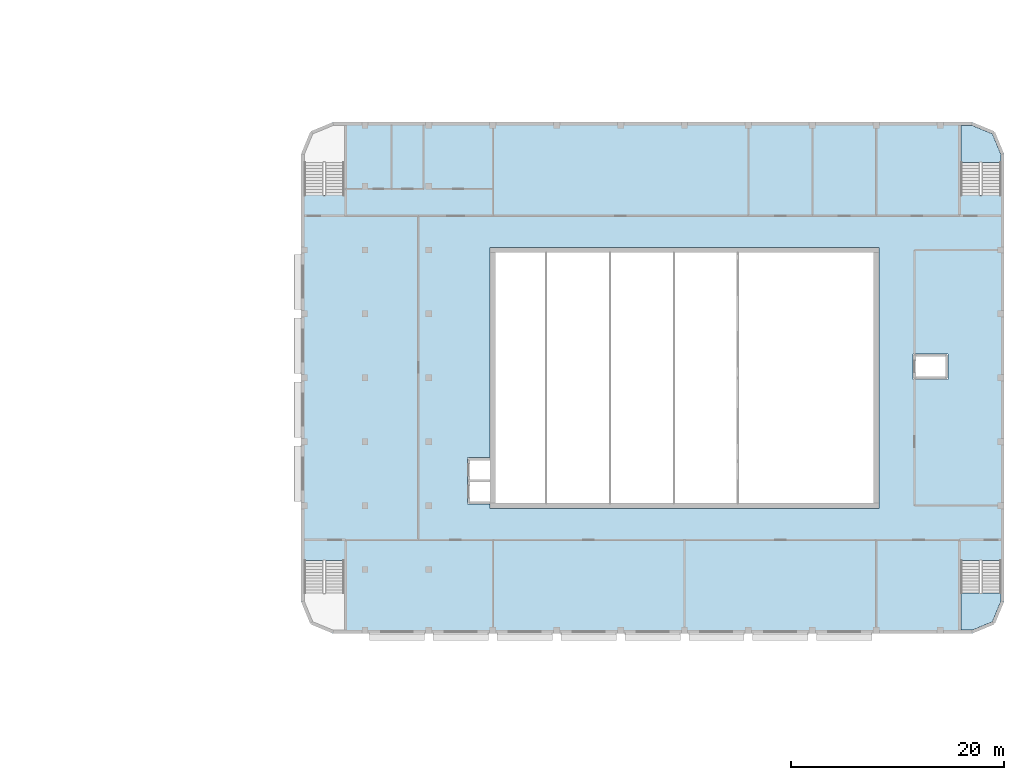
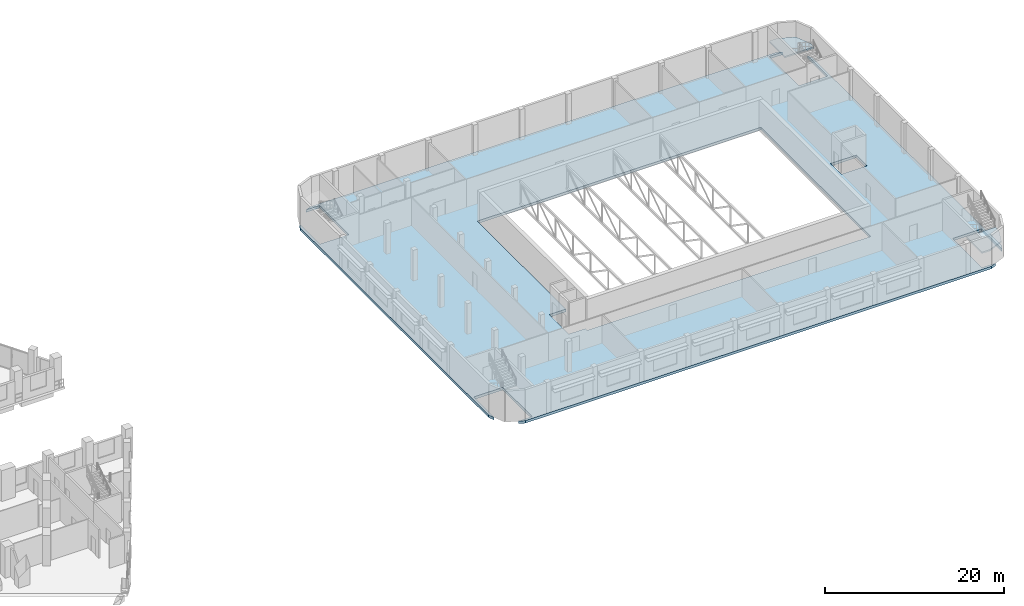
# One storey, part 18 of 47: 3 slabs, 2 elements without a shape of their own.
"""IFC4 building model written with IfcOpenShell, lengths in metres."""

from ifc_helpers import new_model, si_unit, direction, frame, origin, place, context, subcontext, project, spatial, polyline, outline, extrude, material, layer, layer_set, type_object, element, aggregate, save


model = new_model("IFC4")

# Units and contexts
model_context = context("Model", 3, precision=1e-05, world=origin(), true_north=direction((0.0, 1.0)))
body_context = subcontext(model_context, "Body", "Model", "MODEL_VIEW")
ifc_project = project(units=[si_unit("LENGTHUNIT", "METRE"), si_unit("AREAUNIT", "SQUARE_METRE"), si_unit("VOLUMEUNIT", "CUBIC_METRE"), si_unit("PLANEANGLEUNIT", "RADIAN"), si_unit("MASSUNIT", "GRAM", prefix="KILO")], contexts=[model_context])

# Site, building, storey
site_placement = place(None, origin())
site = spatial("IfcSite", under=ifc_project, at=site_placement, CompositionType="ELEMENT")
building_placement = place(site_placement, origin())
building = spatial("IfcBuilding", under=site, at=building_placement, Name="Nakaniwa Court", CompositionType="ELEMENT")
storey_placement = place(building_placement, frame((0.0, 0.0, 15.60009765625)))
storey = spatial("IfcBuildingStorey", under=building, at=storey_placement, Name="L03", CompositionType="ELEMENT", Elevation=15.60009765625)

# Slab
ifc_material = material(Name="Concrete C40/50", Category="concrete")
ifc_layer_1 = layer(ifc_material, 0.35009765625)
ifc_layer_set_1 = layer_set([ifc_layer_1], Name="Concrete C40/50")
slab_type_1 = type_object("IfcSlabType", Name="Hall floor slab 350", PredefinedType="FLOOR", material=ifc_layer_set_1)
slab_1_placement = place(storey_placement, frame((0.0, 0.0, -0.35009765625)))
element("IfcSlab", 1, at=slab_1_placement, inside=storey, type_object=slab_type_1, Name="Hall floor slab L03", PredefinedType="FLOOR", context=body_context, shape_type="SweptSolid", body=[
    extrude(outline(polyline([(152.300048828125, 62.844970703125), (156.050048828125, 62.844970703125), (156.050048828125, 56.300048828125), (154.27587890625, 56.300048828125), (155.0, 56.0), (215.0, 56.0), (215.72412109375, 56.300048828125), (213.949951171875, 56.300048828125), (213.949951171875, 62.844970703125), (217.699951171875, 62.844970703125), (217.699951171875, 58.27587890625), (218.0, 59.0), (218.0, 101.0), (217.699951171875, 101.72412109375), (217.699951171875, 97.155029296875), (213.949951171875, 97.155029296875), (213.949951171875, 103.699951171875), (215.72412109375, 103.699951171875), (215.0, 104.0), (155.0, 104.0), (154.27587890625, 103.699951171875), (156.050048828125, 103.699951171875), (156.050048828125, 97.155029296875), (152.300048828125, 97.155029296875), (152.300048828125, 101.72412109375), (152.0, 101.0), (152.0, 59.0), (152.300048828125, 58.27587890625), (152.300048828125, 62.844970703125)]), holes=[polyline([(169.75, 72.5), (169.75, 92.25), (206.25, 92.25), (206.25, 67.75), (169.75, 67.75), (169.75, 68.14990234375), (167.60009765625, 68.14990234375), (167.60009765625, 70.199951171875), (167.60009765625, 70.449951171875), (167.60009765625, 72.5), (169.75, 72.5)]), polyline([(212.75, 79.85009765625), (209.449951171875, 79.85009765625), (209.449951171875, 82.25), (212.75, 82.25), (212.75, 79.85009765625)])]), origin(), (0.0, 0.0, 1.0), 0.35009765625),
])

# Stair, slab
stair_type = type_object("IfcStairType", Name="Hall exit stair 24 risers", PredefinedType="HALF_TURN_STAIR", material=ifc_material)
stair_1_placement = place(storey_placement, origin())
stair_1 = element("IfcStair", 2, at=stair_1_placement, inside=storey, type_object=stair_type, Name="L03 Exit stair 3", PredefinedType="HALF_TURN_STAIR")
ifc_layer_2 = layer(ifc_material, 0.199951171875)
ifc_layer_set_2 = layer_set([ifc_layer_2], Name="Concrete C40/50")
slab_type_2 = type_object("IfcSlabType", Name="Hall stair landing 200", PredefinedType="LANDING", material=ifc_layer_set_2)
slab_2_placement = place(storey_placement, frame((0.0, 0.0, 1.89990234375)))
slab_2 = element("IfcSlab", 3, at=slab_2_placement, type_object=slab_type_2, Name="ST-H3 landing 1", PredefinedType="LANDING", context=body_context, shape_type="SweptSolid", body=[
    extrude(outline(polyline([(213.949951171875, 56.300048828125), (215.0, 56.300048828125), (216.9091796875, 57.0908203125), (217.699951171875, 59.0), (217.699951171875, 59.780029296875), (213.949951171875, 59.780029296875), (213.949951171875, 56.300048828125)])), origin(), (0.0, 0.0, 1.0), 0.199951171875),
])
aggregate(stair_1, [slab_2])

stair_2_placement = place(storey_placement, origin())
stair_2 = element("IfcStair", 4, at=stair_2_placement, inside=storey, type_object=stair_type, Name="L03 Exit stair 4", PredefinedType="HALF_TURN_STAIR")
slab_3_placement = place(storey_placement, frame((0.0, 0.0, 1.89990234375)))
slab_3 = element("IfcSlab", 5, at=slab_3_placement, type_object=slab_type_2, Name="ST-H4 landing 1", PredefinedType="LANDING", context=body_context, shape_type="SweptSolid", body=[
    extrude(outline(polyline([(217.699951171875, 101.0), (216.9091796875, 102.9091796875), (215.0, 103.699951171875), (213.949951171875, 103.699951171875), (213.949951171875, 100.219970703125), (217.699951171875, 100.219970703125), (217.699951171875, 101.0)])), origin(), (0.0, 0.0, 1.0), 0.199951171875),
])
aggregate(stair_2, [slab_3])

save(model, "model.ifc")
